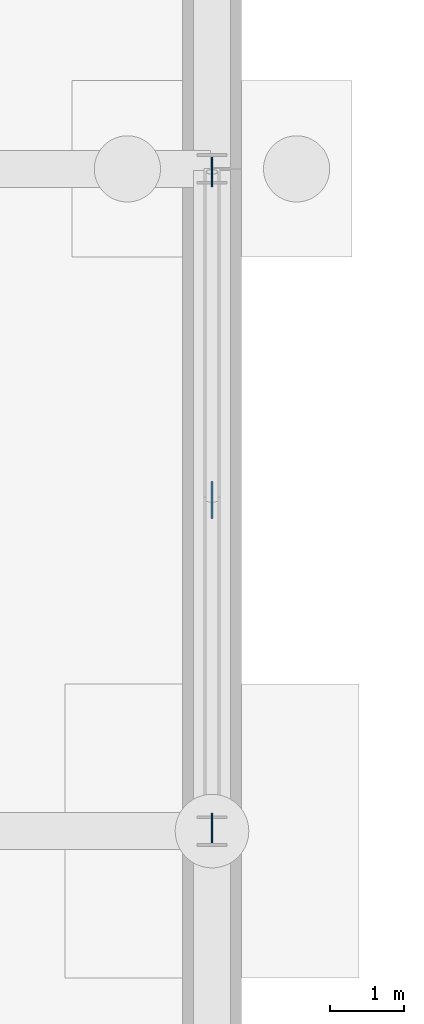
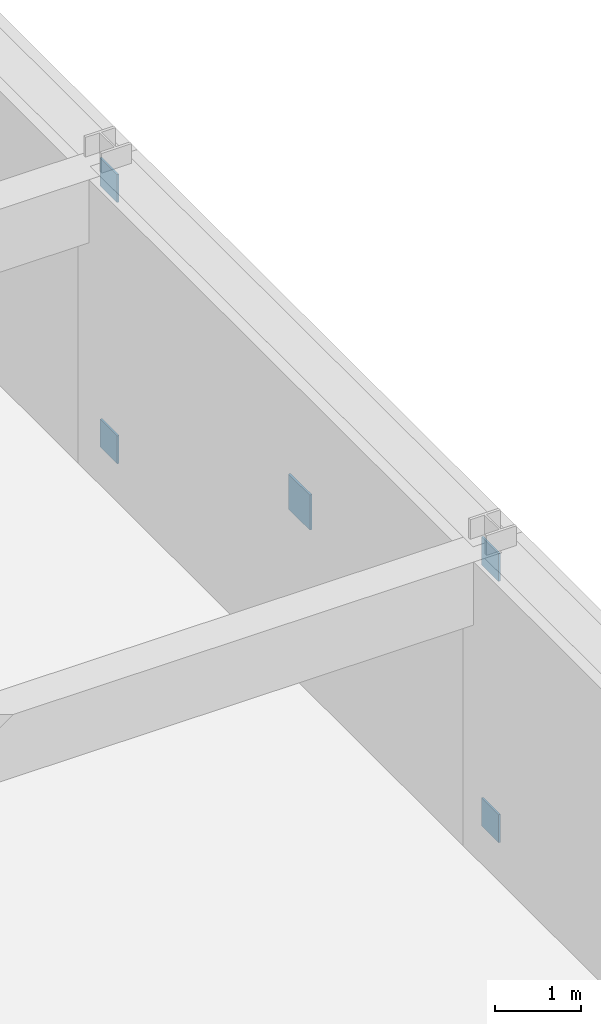
# One storey, part 38 of 41: 5 discrete accessories.
"""IFC4 building model written with IfcOpenShell, lengths in metres."""

from ifc_helpers import new_model, si_unit, direction, frame, origin, origin_2d, place, context, subcontext, project, spatial, rectangle, extrude, material, type_object, element, save


model = new_model("IFC4")

# Units and contexts
model_context = context("Model", 3, precision=1e-05, world=origin(), true_north=direction((0.0, 1.0)))
body_context = subcontext(model_context, "Body", "Model", "MODEL_VIEW")
ifc_project = project(units=[si_unit("LENGTHUNIT", "METRE"), si_unit("AREAUNIT", "SQUARE_METRE"), si_unit("VOLUMEUNIT", "CUBIC_METRE"), si_unit("PLANEANGLEUNIT", "RADIAN"), si_unit("MASSUNIT", "GRAM", prefix="KILO")], contexts=[model_context])

# Site, building, storey
site_placement = place(None, origin())
site = spatial("IfcSite", under=ifc_project, at=site_placement, CompositionType="ELEMENT")
building_placement = place(site_placement, origin())
building = spatial("IfcBuilding", under=site, at=building_placement, Name="Palais des Congres Ocreval", CompositionType="ELEMENT")
storey_placement = place(building_placement, frame((0.0, 0.0, -8.9599609375)))
storey = spatial("IfcBuildingStorey", under=building, at=storey_placement, Name="B2", CompositionType="ELEMENT", Elevation=-8.9599609375)

# Discrete accessories
ifc_material = material(Name="Steel S355", Category="steel")
discrete_accessory_type_1 = type_object("IfcDiscreteAccessoryType", Name="Cast-In Embed Plate PL25 Steel S355", PredefinedType="USERDEFINED", material=ifc_material)
for number, where, z_axis, x_axis, name in (
    (1, (162.0, 81.0400390625, 0.0), (0.0, 0.0, 1.0), (0.0, -1.0, 0.0), "Cast-In Embed Plate EP01"),
    (2, (162.0, 89.9599609375, 3.72998046875), (0.0, 0.0, 1.0), (0.0, -1.0, 0.0), "Cast-In Embed Plate EP01"),
    (3, (162.0, 81.0400390625, 3.72998046875), (0.0, 0.0, 1.0), (0.0, -1.0, 0.0), "Cast-In Embed Plate EP01"),
    (4, (162.0, 89.9599609375, 0.0), (0.0, 0.0, 1.0), (0.0, -1.0, 0.0), "Cast-In Embed Plate EP01"),
):
    element("IfcDiscreteAccessory", number, at=place(storey_placement, frame(where, z_axis=z_axis, x_axis=x_axis)), inside=storey, type_object=discrete_accessory_type_1, Name=name, ObjectType="EMBED PLATE", PredefinedType="USERDEFINED", context=body_context, shape_type="SweptSolid", body=[
        extrude(rectangle(XDim=0.39990234375, YDim=0.02490234375, at=origin_2d()), origin(), (0.0, 0.0, 1.0), 0.39990234375),
    ])
discrete_accessory_type_2 = type_object("IfcDiscreteAccessoryType", Name="X-Brace Node Gusset Plate PL30 Steel S355", PredefinedType="USERDEFINED", material=ifc_material)
discrete_accessory_placement = place(storey_placement, frame((162.0, 85.5, 1.7900390625), z_axis=(0.0, 0.0, 1.0), x_axis=(0.0, 1.0, 0.0)))
element("IfcDiscreteAccessory", 5, at=discrete_accessory_placement, inside=storey, type_object=discrete_accessory_type_2, Name="X-Brace Node Gusset Plate GP01", ObjectType="GUSSET PLATE", PredefinedType="USERDEFINED", context=body_context, shape_type="SweptSolid", body=[
    extrude(rectangle(XDim=0.5, YDim=0.030029296875, at=origin_2d()), origin(), (0.0, 0.0, 1.0), 0.5),
])

save(model, "model.ifc")
